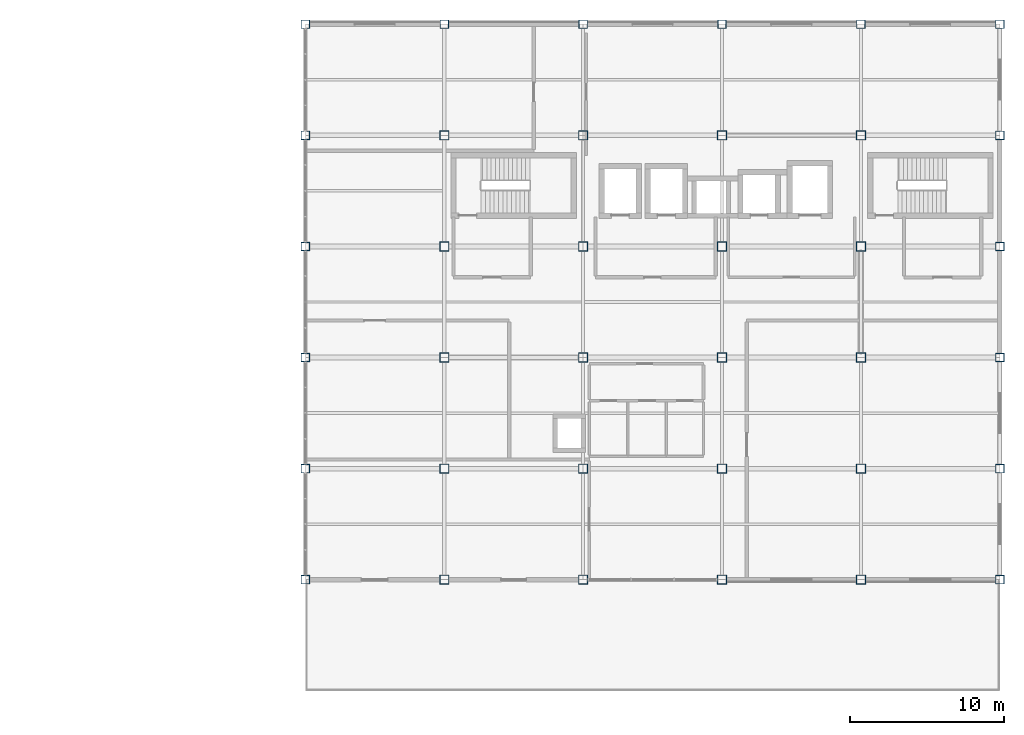
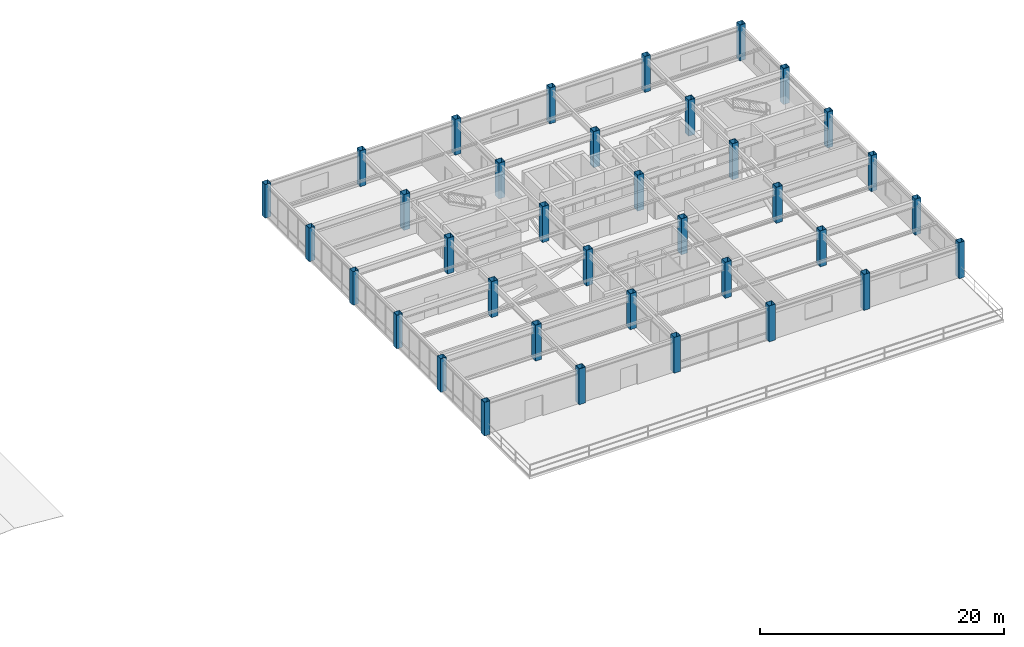
# One storey, part 3 of 43: 36 columns.
"""IFC4 building model written with IfcOpenShell, lengths in metres."""

from ifc_helpers import new_model, si_unit, direction, frame, origin, origin_2d, place, context, subcontext, project, spatial, hollow_rectangle, extrude, material, material_profile, profile_set, type_object, element, save


model = new_model("IFC4")

# Units and contexts
model_context = context("Model", 3, precision=1e-05, world=origin(), true_north=direction((0.0, 1.0)))
body_context = subcontext(model_context, "Body", "Model", "MODEL_VIEW")
ifc_project = project(units=[si_unit("LENGTHUNIT", "METRE"), si_unit("AREAUNIT", "SQUARE_METRE"), si_unit("VOLUMEUNIT", "CUBIC_METRE"), si_unit("PLANEANGLEUNIT", "RADIAN"), si_unit("MASSUNIT", "GRAM", prefix="KILO")], contexts=[model_context])

# Site, building, storey
site_placement = place(None, origin())
site = spatial("IfcSite", under=ifc_project, at=site_placement, CompositionType="ELEMENT")
building_placement = place(site_placement, origin())
building = spatial("IfcBuilding", under=site, at=building_placement, Name="Kazanami Central Library", CompositionType="ELEMENT")
storey_placement = place(building_placement, frame((0.0, 0.0, 20.60009765625)))
storey = spatial("IfcBuildingStorey", under=building, at=storey_placement, Name="L06", CompositionType="ELEMENT", Elevation=20.60009765625)

# Columns
ifc_material = material(Name="Steel BCP325 (325 MPa)", Category="steel")
ifc_material_profile_1 = material_profile(ifc_material, hollow_rectangle(XDim=0.60009765625, YDim=0.60009765625, WallThickness=0.02490234375, at=origin_2d()), Name="BCP-600x600x25")
ifc_profile_set_1 = profile_set([ifc_material_profile_1], Name="Steel BCP325 (325 MPa)")
column_type_1 = type_object("IfcColumnType", Name="COL-C-T3I", PredefinedType="COLUMN", material=ifc_profile_set_1)
for number, where, z_axis, x_axis, name in (
    (1, (126.0, 57.60009765625, 0.0), (0.0, 0.0, 1.0), (1.0, 0.0, 0.0), "Column C-T3I L06 15/J"),
    (2, (126.0, 64.800048828125, 0.0), (0.0, 0.0, 1.0), (1.0, 0.0, 0.0), "Column C-T3I L06 15/K"),
    (3, (126.0, 72.0, 0.0), (0.0, 0.0, 1.0), (1.0, 0.0, 0.0), "Column C-T3I L06 15/L"),
    (4, (126.0, 79.199951171875, 0.0), (0.0, 0.0, 1.0), (1.0, 0.0, 0.0), "Column C-T3I L06 15/M"),
    (5, (126.0, 86.39990234375, 0.0), (0.0, 0.0, 1.0), (1.0, 0.0, 0.0), "Column C-T3I L06 15/N"),
    (6, (135.0, 57.60009765625, 0.0), (0.0, 0.0, 1.0), (1.0, 0.0, 0.0), "Column C-T3I L06 16/J"),
    (7, (135.0, 64.800048828125, 0.0), (0.0, 0.0, 1.0), (1.0, 0.0, 0.0), "Column C-T3I L06 16/K"),
    (8, (135.0, 72.0, 0.0), (0.0, 0.0, 1.0), (1.0, 0.0, 0.0), "Column C-T3I L06 16/L"),
    (9, (135.0, 79.199951171875, 0.0), (0.0, 0.0, 1.0), (1.0, 0.0, 0.0), "Column C-T3I L06 16/M"),
    (10, (135.0, 86.39990234375, 0.0), (0.0, 0.0, 1.0), (1.0, 0.0, 0.0), "Column C-T3I L06 16/N"),
    (11, (144.0, 57.60009765625, 0.0), (0.0, 0.0, 1.0), (1.0, 0.0, 0.0), "Column C-T3I L06 17/J"),
    (12, (144.0, 64.800048828125, 0.0), (0.0, 0.0, 1.0), (1.0, 0.0, 0.0), "Column C-T3I L06 17/K"),
    (13, (144.0, 72.0, 0.0), (0.0, 0.0, 1.0), (1.0, 0.0, 0.0), "Column C-T3I L06 17/L"),
    (14, (144.0, 79.199951171875, 0.0), (0.0, 0.0, 1.0), (1.0, 0.0, 0.0), "Column C-T3I L06 17/M"),
    (15, (144.0, 86.39990234375, 0.0), (0.0, 0.0, 1.0), (1.0, 0.0, 0.0), "Column C-T3I L06 17/N"),
    (16, (153.0, 57.60009765625, 0.0), (0.0, 0.0, 1.0), (1.0, 0.0, 0.0), "Column C-T3I L06 18/J"),
    (17, (153.0, 64.800048828125, 0.0), (0.0, 0.0, 1.0), (1.0, 0.0, 0.0), "Column C-T3I L06 18/K"),
    (18, (153.0, 72.0, 0.0), (0.0, 0.0, 1.0), (1.0, 0.0, 0.0), "Column C-T3I L06 18/L"),
    (19, (153.0, 79.199951171875, 0.0), (0.0, 0.0, 1.0), (1.0, 0.0, 0.0), "Column C-T3I L06 18/M"),
    (20, (153.0, 86.39990234375, 0.0), (0.0, 0.0, 1.0), (1.0, 0.0, 0.0), "Column C-T3I L06 18/N"),
):
    element("IfcColumn", number, at=place(storey_placement, frame(where, z_axis=z_axis, x_axis=x_axis)), inside=storey, type_object=column_type_1, Name=name, PredefinedType="COLUMN", context=body_context, shape_type="SweptSolid", body=[
        extrude(hollow_rectangle(XDim=0.60009765625, YDim=0.60009765625, WallThickness=0.02490234375, at=origin_2d()), origin(), (0.0, 0.0, 1.0), 3.599853515625),
    ])
ifc_material_profile_2 = material_profile(ifc_material, hollow_rectangle(XDim=0.550048828125, YDim=0.550048828125, WallThickness=0.02197265625, at=origin_2d()), Name="BCP-550x550x22")
ifc_profile_set_2 = profile_set([ifc_material_profile_2], Name="Steel BCP325 (325 MPa)")
column_type_2 = type_object("IfcColumnType", Name="COL-C-T3P", PredefinedType="COLUMN", material=ifc_profile_set_2)
for number, where, z_axis, x_axis, name in (
    (21, (117.0, 57.60009765625, 0.0), (0.0, 0.0, 1.0), (1.0, 0.0, 0.0), "Column C-T3P L06 14/J"),
    (22, (117.0, 64.800048828125, 0.0), (0.0, 0.0, 1.0), (1.0, 0.0, 0.0), "Column C-T3P L06 14/K"),
    (23, (117.0, 72.0, 0.0), (0.0, 0.0, 1.0), (1.0, 0.0, 0.0), "Column C-T3P L06 14/L"),
    (24, (117.0, 79.199951171875, 0.0), (0.0, 0.0, 1.0), (1.0, 0.0, 0.0), "Column C-T3P L06 14/M"),
    (25, (117.0, 86.39990234375, 0.0), (0.0, 0.0, 1.0), (1.0, 0.0, 0.0), "Column C-T3P L06 14/N"),
    (26, (117.0, 93.60009765625, 0.0), (0.0, 0.0, 1.0), (1.0, 0.0, 0.0), "Column C-T3P L06 14/O"),
):
    element("IfcColumn", number, at=place(storey_placement, frame(where, z_axis=z_axis, x_axis=x_axis)), inside=storey, type_object=column_type_2, Name=name, PredefinedType="COLUMN", context=body_context, shape_type="SweptSolid", body=[
        extrude(hollow_rectangle(XDim=0.550048828125, YDim=0.550048828125, WallThickness=0.02197265625, at=origin_2d()), origin(), (0.0, 0.0, 1.0), 3.35986328125),
    ])
for number, where, z_axis, x_axis, name in (
    (27, (126.0, 93.60009765625, 0.0), (0.0, 0.0, 1.0), (1.0, 0.0, 0.0), "Column C-T3P L06 15/O"),
    (28, (135.0, 93.60009765625, 0.0), (0.0, 0.0, 1.0), (1.0, 0.0, 0.0), "Column C-T3P L06 16/O"),
    (29, (144.0, 93.60009765625, 0.0), (0.0, 0.0, 1.0), (1.0, 0.0, 0.0), "Column C-T3P L06 17/O"),
    (30, (153.0, 93.60009765625, 0.0), (0.0, 0.0, 1.0), (1.0, 0.0, 0.0), "Column C-T3P L06 18/O"),
    (31, (162.0, 57.60009765625, 0.0), (0.0, 0.0, 1.0), (1.0, 0.0, 0.0), "Column C-T3P L06 19/J"),
    (32, (162.0, 64.800048828125, 0.0), (0.0, 0.0, 1.0), (1.0, 0.0, 0.0), "Column C-T3P L06 19/K"),
    (33, (162.0, 72.0, 0.0), (0.0, 0.0, 1.0), (1.0, 0.0, 0.0), "Column C-T3P L06 19/L"),
    (34, (162.0, 79.199951171875, 0.0), (0.0, 0.0, 1.0), (1.0, 0.0, 0.0), "Column C-T3P L06 19/M"),
    (35, (162.0, 86.39990234375, 0.0), (0.0, 0.0, 1.0), (1.0, 0.0, 0.0), "Column C-T3P L06 19/N"),
    (36, (162.0, 93.60009765625, 0.0), (0.0, 0.0, 1.0), (1.0, 0.0, 0.0), "Column C-T3P L06 19/O"),
):
    element("IfcColumn", number, at=place(storey_placement, frame(where, z_axis=z_axis, x_axis=x_axis)), inside=storey, type_object=column_type_2, Name=name, PredefinedType="COLUMN", context=body_context, shape_type="SweptSolid", body=[
        extrude(hollow_rectangle(XDim=0.550048828125, YDim=0.550048828125, WallThickness=0.02197265625, at=origin_2d()), origin(), (0.0, 0.0, 1.0), 3.599853515625),
    ])

save(model, "model.ifc")
